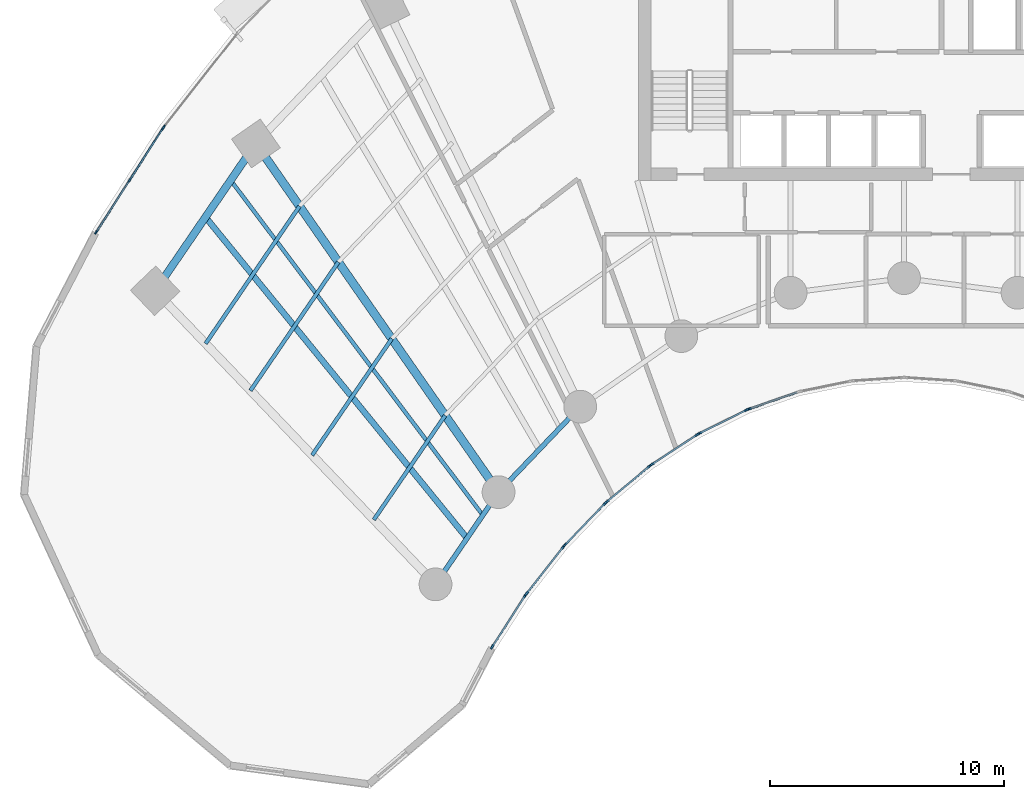
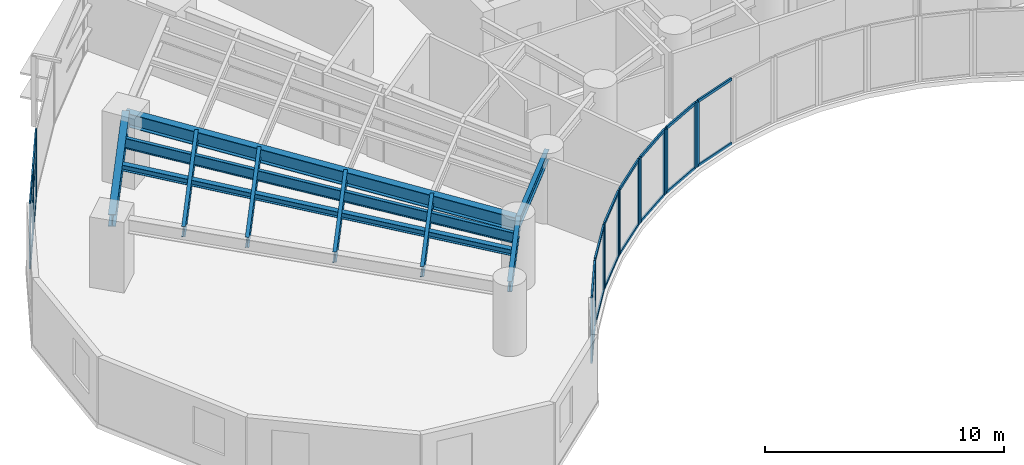
# One storey, part 2 of 17: 37 members, 10 beams, 9 elements without a shape of their own.
"""IFC4 building model written with IfcOpenShell, lengths in metres."""

from ifc_helpers import new_model, si_unit, direction, frame, origin, origin_2d, place, context, subcontext, project, spatial, rectangle, i_section, extrude, source, transform, mapped, material, layer, layer_set, material_profile, profile_set, type_object, type_shapes, element, aggregate, save


model = new_model("IFC4")

# Units and contexts
model_context = context("Model", 3, precision=1e-05, world=origin(), true_north=direction((0.0, 1.0)))
body_context = subcontext(model_context, "Body", "Model", "MODEL_VIEW")
ifc_project = project(units=[si_unit("LENGTHUNIT", "METRE"), si_unit("AREAUNIT", "SQUARE_METRE"), si_unit("VOLUMEUNIT", "CUBIC_METRE"), si_unit("PLANEANGLEUNIT", "RADIAN"), si_unit("MASSUNIT", "GRAM", prefix="KILO")], contexts=[model_context])

# Site, building, storey
site_placement = place(None, origin())
site = spatial("IfcSite", under=ifc_project, at=site_placement, CompositionType="ELEMENT")
building_placement = place(site_placement, origin())
building = spatial("IfcBuilding", under=site, at=building_placement, Name="Breltana Convention Tower", CompositionType="ELEMENT")
storey_placement = place(building_placement, frame((0.0, 0.0, 57.0)))
storey = spatial("IfcBuildingStorey", under=building, at=storey_placement, Name="L12", CompositionType="ELEMENT", Elevation=57.0)

# Beams
ifc_material_1 = material(Name="Steel ASTM A992 Grade 50", Category="steel")
ifc_material_profile_1 = material_profile(ifc_material_1, i_section(OverallWidth=0.323974609375, OverallDepth=0.611083984375, WebThickness=0.0126953125, FlangeThickness=0.01904296875, at=origin_2d()), Name="W24X104")
ifc_profile_set_1 = profile_set([ifc_material_profile_1], Name="Steel ASTM A992 Grade 50")
beam_type_1 = type_object("IfcBeamType", Name="BM-SP-W24X104", PredefinedType="SPANDREL", material=ifc_profile_set_1)
shared_shape_1 = source(origin(), body_context, "Body", "SweptSolid", [
    extrude(i_section(OverallWidth=0.323974609375, OverallDepth=0.611083984375, WebThickness=0.0126953125, FlangeThickness=0.01904296875, at=origin_2d()), origin(), (0.0, 0.0, 1.0), 7.625),
])
type_shapes(beam_type_1, [shared_shape_1])
beam_1_placement = place(storey_placement, frame((16.0068359375, 55.494384765625, 3.054443359375), z_axis=(0.564452031902, 0.825465870694, 0.0), x_axis=(-0.825465870694, 0.564452031902, 0.0)))
element("IfcBeam", 1, at=beam_1_placement, inside=storey, type_object=beam_type_1, Name="L12 Outer Spandrel Beam 01", PredefinedType="SPANDREL", context=body_context, shape_type="MappedRepresentation", body=[
    mapped(shared_shape_1, transform((0.0, 0.0, 0.0), scale=1.0)),
])
ifc_material_profile_2 = material_profile(ifc_material_1, i_section(OverallWidth=0.35498046875, OverallDepth=0.696044921875, WebThickness=0.015380859375, FlangeThickness=0.02490234375, at=origin_2d()), Name="W27X146")
ifc_profile_set_2 = profile_set([ifc_material_profile_2], Name="Steel ASTM A992 Grade 50")
beam_type_2 = type_object("IfcBeamType", Name="BM-RG-W27X146", PredefinedType="USERDEFINED", material=ifc_profile_set_2)
shared_shape_2 = source(origin(), body_context, "Body", "SweptSolid", [
    extrude(i_section(OverallWidth=0.35498046875, OverallDepth=0.696044921875, WebThickness=0.015380859375, FlangeThickness=0.02490234375, at=origin_2d()), origin(), (0.0, 0.0, 1.0), 18.1484375),
])
beam_2_placement = place(storey_placement, frame((30.67724609375, 46.892333984375, 3.011962890625), z_axis=(-0.571207556098, 0.820805657788, 0.0), x_axis=(-0.820805657788, -0.571207556098, 0.0)))
element("IfcBeam", 2, at=beam_2_placement, inside=storey, type_object=beam_type_2, Name="L12 Radial Floor Girder R02", ObjectType="GIRDER", PredefinedType="USERDEFINED", context=body_context, shape_type="MappedRepresentation", body=[
    mapped(shared_shape_2, transform((0.0, 0.0, 0.0), scale=1.0)),
])
ifc_material_profile_3 = material_profile(ifc_material_1, i_section(OverallWidth=0.2099609375, OverallDepth=0.537109375, WebThickness=0.010986328125, FlangeThickness=0.017333984375, at=origin_2d()), Name="W21X68")
ifc_profile_set_3 = profile_set([ifc_material_profile_3], Name="Steel ASTM A992 Grade 50")
beam_type_3 = type_object("IfcBeamType", Name="BM-BM-W21X68", PredefinedType="BEAM", material=ifc_profile_set_3)
shared_shape_3 = source(origin(), body_context, "Body", "SweptSolid", [
    extrude(i_section(OverallWidth=0.2099609375, OverallDepth=0.537109375, WebThickness=0.010986328125, FlangeThickness=0.017333984375, at=origin_2d()), origin(), (0.0, 0.0, 1.0), 4.770263671875),
])
beam_3_placement = place(storey_placement, frame((27.984619140625, 42.95458984375, 3.091552734375), z_axis=(0.564452719055, 0.82546540082, 0.0), x_axis=(-0.82546540082, 0.564452719055, 0.0)))
element("IfcBeam", 3, at=beam_3_placement, inside=storey, type_object=beam_type_3, Name="L12 Inner Ring Beam 01", PredefinedType="BEAM", context=body_context, shape_type="MappedRepresentation", body=[
    mapped(shared_shape_3, transform((0.0, 0.0, 0.0), scale=1.0)),
])
shared_shape_4 = source(origin(), body_context, "Body", "SweptSolid", [
    extrude(i_section(OverallWidth=0.2099609375, OverallDepth=0.537109375, WebThickness=0.010986328125, FlangeThickness=0.017333984375, at=origin_2d()), origin(), (0.0, 0.0, 1.0), 5.05126953125),
])
beam_4_placement = place(storey_placement, frame((30.67724609375, 46.892333984375, 3.091552734375), z_axis=(0.690729753845, 0.7231129975, 0.0), x_axis=(-0.7231129975, 0.690729753845, 0.0)))
element("IfcBeam", 4, at=beam_4_placement, inside=storey, type_object=beam_type_3, Name="L12 Inner Ring Beam 02", PredefinedType="BEAM", context=body_context, shape_type="MappedRepresentation", body=[
    mapped(shared_shape_4, transform((0.0, 0.0, 0.0), scale=1.0)),
])
ifc_material_profile_4 = material_profile(ifc_material_1, i_section(OverallWidth=0.166015625, OverallDepth=0.534912109375, WebThickness=0.01025390625, FlangeThickness=0.0166015625, at=origin_2d()), Name="W21X57")
ifc_profile_set_4 = profile_set([ifc_material_profile_4], Name="Steel ASTM A992 Grade 50")
beam_type_4 = type_object("IfcBeamType", Name="BM-JSG-05", PredefinedType="JOIST", material=ifc_profile_set_4)
shared_shape_5 = source(origin(), body_context, "Body", "SweptSolid", [
    extrude(i_section(OverallWidth=0.166015625, OverallDepth=0.534912109375, WebThickness=0.01025390625, FlangeThickness=0.0166015625, at=origin_2d()), origin(), (0.0, 0.0, 1.0), 5.3984375),
])
type_shapes(beam_type_4, [shared_shape_5])
beam_5_placement = place(storey_placement, frame((25.349365234375, 45.71337890625, 3.092529296875), z_axis=(0.564440705434, 0.825473615599, 0.0), x_axis=(-0.825473615599, 0.564440705434, 0.0)))
element("IfcBeam", 5, at=beam_5_placement, inside=storey, type_object=beam_type_4, Name="L12 Composite Floor Joist 01.1", PredefinedType="JOIST", context=body_context, shape_type="MappedRepresentation", body=[
    mapped(shared_shape_5, transform((0.0, 0.0, 0.0), scale=1.0)),
])
shared_shape_6 = source(origin(), body_context, "Body", "SweptSolid", [
    extrude(i_section(OverallWidth=0.166015625, OverallDepth=0.534912109375, WebThickness=0.01025390625, FlangeThickness=0.0166015625, at=origin_2d()), origin(), (0.0, 0.0, 1.0), 6.0263671875),
])
beam_6_placement = place(storey_placement, frame((22.71435546875, 48.47216796875, 3.092529296875), z_axis=(0.564450071397, 0.825467211281, 0.0), x_axis=(-0.825467211281, 0.564450071397, 0.0)))
element("IfcBeam", 6, at=beam_6_placement, inside=storey, type_object=beam_type_4, Name="L12 Composite Floor Joist 01.2", PredefinedType="JOIST", context=body_context, shape_type="MappedRepresentation", body=[
    mapped(shared_shape_6, transform((0.0, 0.0, 0.0), scale=1.0)),
])
shared_shape_7 = source(origin(), body_context, "Body", "SweptSolid", [
    extrude(i_section(OverallWidth=0.166015625, OverallDepth=0.534912109375, WebThickness=0.01025390625, FlangeThickness=0.0166015625, at=origin_2d()), origin(), (0.0, 0.0, 1.0), 6.654541015625),
])
beam_7_placement = place(storey_placement, frame((20.0791015625, 51.23095703125, 3.092529296875), z_axis=(0.564482668195, 0.82544492082, 0.0), x_axis=(-0.82544492082, 0.564482668195, 0.0)))
element("IfcBeam", 7, at=beam_7_placement, inside=storey, type_object=beam_type_4, Name="L12 Composite Floor Joist 01.3", PredefinedType="JOIST", context=body_context, shape_type="MappedRepresentation", body=[
    mapped(shared_shape_7, transform((0.0, 0.0, 0.0), scale=1.0)),
])
shared_shape_8 = source(origin(), body_context, "Body", "SweptSolid", [
    extrude(i_section(OverallWidth=0.166015625, OverallDepth=0.534912109375, WebThickness=0.01025390625, FlangeThickness=0.0166015625, at=origin_2d()), origin(), (0.0, 0.0, 1.0), 7.111328125),
])
beam_8_placement = place(storey_placement, frame((18.162841796875, 53.2373046875, 3.092529296875), z_axis=(0.564446356178, 0.825469751715, 0.0), x_axis=(-0.825469751715, 0.564446356178, 0.0)))
element("IfcBeam", 8, at=beam_8_placement, inside=storey, type_object=beam_type_4, Name="L12 Composite Floor Joist 01.4", PredefinedType="JOIST", context=body_context, shape_type="MappedRepresentation", body=[
    mapped(shared_shape_8, transform((0.0, 0.0, 0.0), scale=1.0)),
])
ifc_material_profile_5 = material_profile(ifc_material_1, i_section(OverallWidth=0.25390625, OverallDepth=0.305908203125, WebThickness=0.0087890625, FlangeThickness=0.0146484375, at=origin_2d()), Name="W12X53")
ifc_profile_set_5 = profile_set([ifc_material_profile_5], Name="Steel ASTM A992 Grade 50")
beam_type_5 = type_object("IfcBeamType", Name="BM-JSG-10", PredefinedType="JOIST", material=ifc_profile_set_5)
shared_shape_9 = source(origin(), body_context, "Body", "SweptSolid", [
    extrude(i_section(OverallWidth=0.25390625, OverallDepth=0.305908203125, WebThickness=0.0087890625, FlangeThickness=0.0146484375, at=origin_2d()), origin(), (0.0, 0.0, 1.0), 17.691650390625),
])
type_shapes(beam_type_5, [shared_shape_9])
beam_9_placement = place(storey_placement, frame((29.330810546875, 44.923583984375, 3.20703125), z_axis=(-0.631476958478, 0.775394642044, 0.0), x_axis=(-0.775394642044, -0.631476958478, 0.0)))
element("IfcBeam", 9, at=beam_9_placement, inside=storey, type_object=beam_type_5, Name="L12 Mid-Bay Radial Trimmer 01", PredefinedType="JOIST", context=body_context, shape_type="MappedRepresentation", body=[
    mapped(shared_shape_9, transform((0.0, 0.0, 0.0), scale=1.0)),
])
shared_shape_10 = source(origin(), body_context, "Body", "SweptSolid", [
    extrude(i_section(OverallWidth=0.166015625, OverallDepth=0.534912109375, WebThickness=0.01025390625, FlangeThickness=0.0166015625, at=origin_2d()), origin(), (0.0, 0.0, 1.0), 17.9072265625),
])
beam_10_placement = place(storey_placement, frame((30.00390625, 45.907958984375, 3.092529296875), z_axis=(-0.601382105028, 0.798961553363, 0.0), x_axis=(-0.798961553363, -0.601382105028, 0.0)))
element("IfcBeam", 10, at=beam_10_placement, inside=storey, type_object=beam_type_4, Name="L12 Quarter-Bay Radial Trimmer 01", PredefinedType="JOIST", context=body_context, shape_type="MappedRepresentation", body=[
    mapped(shared_shape_10, transform((0.0, 0.0, 0.0), scale=1.0)),
])

# Curtain wall, members
ifc_material_2 = material(Name="Aluminium Anodised Bronze Frame", Category="aluminium")
ifc_layer_1 = layer(ifc_material_2, 0.18994140625, Name="Aluminium Anodised Bronze Frame")
ifc_layer_set_1 = layer_set([ifc_layer_1], Name="Aluminium Anodised Bronze Frame")
curtain_wall_type_1 = type_object("IfcCurtainWallType", Name="CW-SYS-1", PredefinedType="NOTDEFINED", material=ifc_layer_set_1)
curtain_wall_1_placement = place(storey_placement, origin())
curtain_wall_1 = element("IfcCurtainWall", 11, at=curtain_wall_1_placement, inside=storey, type_object=curtain_wall_type_1, Name="L12 inner south-court glazing 16", PredefinedType="NOTDEFINED")
ifc_material_3 = material(Name="Aluminium Anodised Bronze", Category="aluminium")
ifc_material_profile_6 = material_profile(ifc_material_3, rectangle(XDim=0.080078125, YDim=0.139892578125, at=origin_2d()), Name="CWT-80X140")
ifc_profile_set_6 = profile_set([ifc_material_profile_6], Name="Aluminium Anodised Bronze")
member_type_1 = type_object("IfcMemberType", Name="CWT-140", PredefinedType="USERDEFINED", material=ifc_profile_set_6)
shared_shape_11 = source(origin(), body_context, "Body", "SweptSolid", [
    extrude(rectangle(XDim=0.080078125, YDim=0.139892578125, at=origin_2d()), origin(), (0.0, 0.0, 1.0), 2.38720703125),
])
type_shapes(member_type_1, [shared_shape_11])
member_1_placement = place(storey_placement, frame((35.2021484375, 46.385009765625, 0.0400390625), z_axis=(-0.694623715393, -0.719373264734, 0.0), x_axis=(0.719373264734, -0.694623715393, 0.0)))
member_1 = element("IfcMember", 12, at=member_1_placement, type_object=member_type_1, Name="CW-01 transom 1.1", ObjectType="TRANSOM", PredefinedType="USERDEFINED", context=body_context, shape_type="MappedRepresentation", body=[
    mapped(shared_shape_11, transform((0.0, 0.0, 0.0), scale=1.0)),
])
member_2_placement = place(storey_placement, frame((35.2021484375, 46.385009765625, 3.320068359375), z_axis=(-0.694623715393, -0.719373264734, 0.0), x_axis=(0.719373264734, -0.694623715393, 0.0)))
member_2 = element("IfcMember", 13, at=member_2_placement, type_object=member_type_1, Name="CW-01 transom 1.2", ObjectType="TRANSOM", PredefinedType="USERDEFINED", context=body_context, shape_type="MappedRepresentation", body=[
    mapped(shared_shape_11, transform((0.0, 0.0, 0.0), scale=1.0)),
])

curtain_wall_2_placement = place(storey_placement, origin())
curtain_wall_2 = element("IfcCurtainWall", 14, at=curtain_wall_2_placement, inside=storey, type_object=curtain_wall_type_1, Name="L12 inner south-court glazing 15", PredefinedType="NOTDEFINED")
shared_shape_12 = source(origin(), body_context, "Body", "SweptSolid", [
    extrude(rectangle(XDim=0.080078125, YDim=0.139892578125, at=origin_2d()), origin(), (0.0, 0.0, 1.0), 2.312255859375),
])
member_3_placement = place(storey_placement, frame((37.10888671875, 47.988037109375, 0.0400390625), z_axis=(-0.767900974507, -0.640568570374, 0.0), x_axis=(0.640568570374, -0.767900974507, 0.0)))
member_3 = element("IfcMember", 15, at=member_3_placement, type_object=member_type_1, Name="CW-01 transom 1.1", ObjectType="TRANSOM", PredefinedType="USERDEFINED", context=body_context, shape_type="MappedRepresentation", body=[
    mapped(shared_shape_12, transform((0.0, 0.0, 0.0), scale=1.0)),
])
member_4_placement = place(storey_placement, frame((37.10888671875, 47.988037109375, 3.320068359375), z_axis=(-0.767900974507, -0.640568570374, 0.0), x_axis=(0.640568570374, -0.767900974507, 0.0)))
member_4 = element("IfcMember", 16, at=member_4_placement, type_object=member_type_1, Name="CW-01 transom 1.2", ObjectType="TRANSOM", PredefinedType="USERDEFINED", context=body_context, shape_type="MappedRepresentation", body=[
    mapped(shared_shape_12, transform((0.0, 0.0, 0.0), scale=1.0)),
])

curtain_wall_3_placement = place(storey_placement, origin())
curtain_wall_3 = element("IfcCurtainWall", 17, at=curtain_wall_3_placement, inside=storey, type_object=curtain_wall_type_1, Name="L12 inner south-court glazing 14", PredefinedType="NOTDEFINED")
shared_shape_13 = source(origin(), body_context, "Body", "SweptSolid", [
    extrude(rectangle(XDim=0.080078125, YDim=0.139892578125, at=origin_2d()), origin(), (0.0, 0.0, 1.0), 2.2421875),
])
member_5_placement = place(storey_placement, frame((39.128173828125, 49.325927734375, 0.0400390625), z_axis=(-0.835982353773, -0.548756324957, 0.0), x_axis=(0.548756324957, -0.835982353773, 0.0)))
member_5 = element("IfcMember", 18, at=member_5_placement, type_object=member_type_1, Name="CW-01 transom 1.1", ObjectType="TRANSOM", PredefinedType="USERDEFINED", context=body_context, shape_type="MappedRepresentation", body=[
    mapped(shared_shape_13, transform((0.0, 0.0, 0.0), scale=1.0)),
])
member_6_placement = place(storey_placement, frame((39.128173828125, 49.325927734375, 3.320068359375), z_axis=(-0.835982353773, -0.548756324957, 0.0), x_axis=(0.548756324957, -0.835982353773, 0.0)))
member_6 = element("IfcMember", 19, at=member_6_placement, type_object=member_type_1, Name="CW-01 transom 1.2", ObjectType="TRANSOM", PredefinedType="USERDEFINED", context=body_context, shape_type="MappedRepresentation", body=[
    mapped(shared_shape_13, transform((0.0, 0.0, 0.0), scale=1.0)),
])

curtain_wall_4_placement = place(storey_placement, origin())
curtain_wall_4 = element("IfcCurtainWall", 20, at=curtain_wall_4_placement, inside=storey, type_object=curtain_wall_type_1, Name="L12 inner south-court glazing 13", PredefinedType="NOTDEFINED")
shared_shape_14 = source(origin(), body_context, "Body", "SweptSolid", [
    extrude(rectangle(XDim=0.080078125, YDim=0.139892578125, at=origin_2d()), origin(), (0.0, 0.0, 1.0), 2.180908203125),
])
member_7_placement = place(storey_placement, frame((41.239501953125, 50.384765625, 0.0400390625), z_axis=(-0.895922266369, -0.444210865045, 0.0), x_axis=(0.444210865045, -0.895922266369, 0.0)))
member_7 = element("IfcMember", 21, at=member_7_placement, type_object=member_type_1, Name="CW-01 transom 1.1", ObjectType="TRANSOM", PredefinedType="USERDEFINED", context=body_context, shape_type="MappedRepresentation", body=[
    mapped(shared_shape_14, transform((0.0, 0.0, 0.0), scale=1.0)),
])
member_8_placement = place(storey_placement, frame((41.239501953125, 50.384765625, 3.320068359375), z_axis=(-0.895922266369, -0.444210865045, 0.0), x_axis=(0.444210865045, -0.895922266369, 0.0)))
member_8 = element("IfcMember", 22, at=member_8_placement, type_object=member_type_1, Name="CW-01 transom 1.2", ObjectType="TRANSOM", PredefinedType="USERDEFINED", context=body_context, shape_type="MappedRepresentation", body=[
    mapped(shared_shape_14, transform((0.0, 0.0, 0.0), scale=1.0)),
])

curtain_wall_5_placement = place(storey_placement, origin())
curtain_wall_5 = element("IfcCurtainWall", 23, at=curtain_wall_5_placement, inside=storey, type_object=curtain_wall_type_1, Name="L12 inner south-court glazing 17", PredefinedType="NOTDEFINED")
shared_shape_15 = source(origin(), body_context, "Body", "SweptSolid", [
    extrude(rectangle(XDim=0.080078125, YDim=0.139892578125, at=origin_2d()), origin(), (0.0, 0.0, 1.0), 2.4638671875),
])
member_9_placement = place(storey_placement, frame((33.427001953125, 44.533447265625, 0.0400390625), z_axis=(-0.618184689608, -0.786032880695, 0.0), x_axis=(0.786032880695, -0.618184689608, 0.0)))
member_9 = element("IfcMember", 24, at=member_9_placement, type_object=member_type_1, Name="CW-01 transom 1.1", ObjectType="TRANSOM", PredefinedType="USERDEFINED", context=body_context, shape_type="MappedRepresentation", body=[
    mapped(shared_shape_15, transform((0.0, 0.0, 0.0), scale=1.0)),
])
member_10_placement = place(storey_placement, frame((33.427001953125, 44.533447265625, 3.320068359375), z_axis=(-0.618184689608, -0.786032880695, 0.0), x_axis=(0.786032880695, -0.618184689608, 0.0)))
member_10 = element("IfcMember", 25, at=member_10_placement, type_object=member_type_1, Name="CW-01 transom 1.2", ObjectType="TRANSOM", PredefinedType="USERDEFINED", context=body_context, shape_type="MappedRepresentation", body=[
    mapped(shared_shape_15, transform((0.0, 0.0, 0.0), scale=1.0)),
])

curtain_wall_6_placement = place(storey_placement, origin())
curtain_wall_6 = element("IfcCurtainWall", 26, at=curtain_wall_6_placement, inside=storey, type_object=curtain_wall_type_1, Name="L12 inner south-court glazing 18", PredefinedType="NOTDEFINED")
shared_shape_16 = source(origin(), body_context, "Body", "SweptSolid", [
    extrude(rectangle(XDim=0.080078125, YDim=0.139892578125, at=origin_2d()), origin(), (0.0, 0.0, 1.0), 2.53955078125),
])
member_11_placement = place(storey_placement, frame((31.801025390625, 42.452392578125, 0.0400390625), z_axis=(-0.540174413174, -0.841553090038, 0.0), x_axis=(0.841553090038, -0.540174413174, 0.0)))
member_11 = element("IfcMember", 27, at=member_11_placement, type_object=member_type_1, Name="CW-01 transom 1.1", ObjectType="TRANSOM", PredefinedType="USERDEFINED", context=body_context, shape_type="MappedRepresentation", body=[
    mapped(shared_shape_16, transform((0.0, 0.0, 0.0), scale=1.0)),
])
member_12_placement = place(storey_placement, frame((31.801025390625, 42.452392578125, 3.320068359375), z_axis=(-0.540174413174, -0.841553090038, 0.0), x_axis=(0.841553090038, -0.540174413174, 0.0)))
member_12 = element("IfcMember", 28, at=member_12_placement, type_object=member_type_1, Name="CW-01 transom 1.2", ObjectType="TRANSOM", PredefinedType="USERDEFINED", context=body_context, shape_type="MappedRepresentation", body=[
    mapped(shared_shape_16, transform((0.0, 0.0, 0.0), scale=1.0)),
])

# Curtain wall, member
curtain_wall_7_placement = place(storey_placement, origin())
curtain_wall_7 = element("IfcCurtainWall", 29, at=curtain_wall_7_placement, inside=storey, type_object=curtain_wall_type_1, Name="L12 inner south-court glazing 12", PredefinedType="NOTDEFINED")
ifc_material_profile_7 = material_profile(ifc_material_3, rectangle(XDim=0.080078125, YDim=0.199951171875, at=origin_2d()), Name="CWM-80X200")
ifc_profile_set_7 = profile_set([ifc_material_profile_7], Name="Aluminium Anodised Bronze")
member_type_2 = type_object("IfcMemberType", Name="CWM-200", PredefinedType="MULLION", material=ifc_profile_set_7)
shared_shape_17 = source(origin(), body_context, "Body", "SweptSolid", [
    extrude(rectangle(XDim=0.080078125, YDim=0.199951171875, at=origin_2d()), origin(), (0.0, 0.0, 1.0), 3.360107421875),
])
member_13_placement = place(storey_placement, frame((41.3701171875, 50.442138671875, 0.0), z_axis=(0.0, 0.0, 1.0), x_axis=(0.327413341714, -0.944881211406, 0.0)))
member_13 = element("IfcMember", 30, at=member_13_placement, type_object=member_type_2, Name="CW-01 mullion 2", PredefinedType="MULLION", context=body_context, shape_type="MappedRepresentation", body=[
    mapped(shared_shape_17, transform((0.0, 0.0, 0.0), scale=1.0)),
])

# Member
member_14_placement = place(storey_placement, frame((41.275390625, 50.40234375, 0.0), z_axis=(0.0, 0.0, 1.0), x_axis=(0.444117987602, -0.895968310315, 0.0)))
member_14 = element("IfcMember", 31, at=member_14_placement, type_object=member_type_2, Name="CW-01 mullion 1", PredefinedType="MULLION", context=body_context, shape_type="MappedRepresentation", body=[
    mapped(shared_shape_17, transform((0.0, 0.0, 0.0), scale=1.0)),
])

member_15_placement = place(storey_placement, frame((39.249755859375, 49.3984375, 0.0), z_axis=(0.0, 0.0, 1.0), x_axis=(0.444117987602, -0.895968310315, 0.0)))
member_15 = element("IfcMember", 32, at=member_15_placement, type_object=member_type_2, Name="CW-01 mullion 2", PredefinedType="MULLION", context=body_context, shape_type="MappedRepresentation", body=[
    mapped(shared_shape_17, transform((0.0, 0.0, 0.0), scale=1.0)),
])

aggregate(curtain_wall_4, [member_14, member_15, member_7, member_8])

member_16_placement = place(storey_placement, frame((39.16162109375, 49.347900390625, 0.0), z_axis=(0.0, 0.0, 1.0), x_axis=(0.548778278441, -0.835967942634, 0.0)))
member_16 = element("IfcMember", 33, at=member_16_placement, type_object=member_type_2, Name="CW-01 mullion 1", PredefinedType="MULLION", context=body_context, shape_type="MappedRepresentation", body=[
    mapped(shared_shape_17, transform((0.0, 0.0, 0.0), scale=1.0)),
])

member_17_placement = place(storey_placement, frame((37.220458984375, 48.073486328125, 0.0), z_axis=(0.0, 0.0, 1.0), x_axis=(0.548778278441, -0.835967942634, 0.0)))
member_17 = element("IfcMember", 34, at=member_17_placement, type_object=member_type_2, Name="CW-01 mullion 2", PredefinedType="MULLION", context=body_context, shape_type="MappedRepresentation", body=[
    mapped(shared_shape_17, transform((0.0, 0.0, 0.0), scale=1.0)),
])

aggregate(curtain_wall_3, [member_16, member_17, member_5, member_6])

member_18_placement = place(storey_placement, frame((37.1396484375, 48.013671875, 0.0), z_axis=(0.0, 0.0, 1.0), x_axis=(0.640522524458, -0.767939382804, 0.0)))
member_18 = element("IfcMember", 35, at=member_18_placement, type_object=member_type_2, Name="CW-01 mullion 1", PredefinedType="MULLION", context=body_context, shape_type="MappedRepresentation", body=[
    mapped(shared_shape_17, transform((0.0, 0.0, 0.0), scale=1.0)),
])

member_19_placement = place(storey_placement, frame((35.302734375, 46.481201171875, 0.0), z_axis=(0.0, 0.0, 1.0), x_axis=(0.640522524458, -0.767939382804, 0.0)))
member_19 = element("IfcMember", 36, at=member_19_placement, type_object=member_type_2, Name="CW-01 mullion 2", PredefinedType="MULLION", context=body_context, shape_type="MappedRepresentation", body=[
    mapped(shared_shape_17, transform((0.0, 0.0, 0.0), scale=1.0)),
])

aggregate(curtain_wall_2, [member_18, member_19, member_3, member_4])

member_20_placement = place(storey_placement, frame((35.22998046875, 46.413818359375, 0.0), z_axis=(0.0, 0.0, 1.0), x_axis=(0.719384548773, -0.694612029111, 0.0)))
member_20 = element("IfcMember", 37, at=member_20_placement, type_object=member_type_2, Name="CW-01 mullion 1", PredefinedType="MULLION", context=body_context, shape_type="MappedRepresentation", body=[
    mapped(shared_shape_17, transform((0.0, 0.0, 0.0), scale=1.0)),
])

member_21_placement = place(storey_placement, frame((33.51611328125, 44.638916015625, 0.0), z_axis=(0.0, 0.0, 1.0), x_axis=(0.719384548773, -0.694612029111, 0.0)))
member_21 = element("IfcMember", 38, at=member_21_placement, type_object=member_type_2, Name="CW-01 mullion 2", PredefinedType="MULLION", context=body_context, shape_type="MappedRepresentation", body=[
    mapped(shared_shape_17, transform((0.0, 0.0, 0.0), scale=1.0)),
])

aggregate(curtain_wall_1, [member_20, member_21, member_1, member_2])

member_22_placement = place(storey_placement, frame((33.45166015625, 44.56494140625, 0.0), z_axis=(0.0, 0.0, 1.0), x_axis=(0.786057762734, -0.61815305034, 0.0)))
member_22 = element("IfcMember", 39, at=member_22_placement, type_object=member_type_2, Name="CW-01 mullion 1", PredefinedType="MULLION", context=body_context, shape_type="MappedRepresentation", body=[
    mapped(shared_shape_17, transform((0.0, 0.0, 0.0), scale=1.0)),
])

member_23_placement = place(storey_placement, frame((31.87890625, 42.565185546875, 0.0), z_axis=(0.0, 0.0, 1.0), x_axis=(0.786057762734, -0.61815305034, 0.0)))
member_23 = element("IfcMember", 40, at=member_23_placement, type_object=member_type_2, Name="CW-01 mullion 2", PredefinedType="MULLION", context=body_context, shape_type="MappedRepresentation", body=[
    mapped(shared_shape_17, transform((0.0, 0.0, 0.0), scale=1.0)),
])

aggregate(curtain_wall_5, [member_22, member_23, member_9, member_10])

member_24_placement = place(storey_placement, frame((31.82275390625, 42.48583984375, 0.0), z_axis=(0.0, 0.0, 1.0), x_axis=(0.841556194767, -0.540169576197, 0.0)))
member_24 = element("IfcMember", 41, at=member_24_placement, type_object=member_type_2, Name="CW-01 mullion 1", PredefinedType="MULLION", context=body_context, shape_type="MappedRepresentation", body=[
    mapped(shared_shape_17, transform((0.0, 0.0, 0.0), scale=1.0)),
])

member_25_placement = place(storey_placement, frame((30.40771484375, 40.281494140625, 0.0), z_axis=(0.0, 0.0, 1.0), x_axis=(0.841556194767, -0.540169576197, 0.0)))
member_25 = element("IfcMember", 42, at=member_25_placement, type_object=member_type_2, Name="CW-01 mullion 2", PredefinedType="MULLION", context=body_context, shape_type="MappedRepresentation", body=[
    mapped(shared_shape_17, transform((0.0, 0.0, 0.0), scale=1.0)),
])

aggregate(curtain_wall_6, [member_24, member_25, member_11, member_12])

shared_shape_18 = source(origin(), body_context, "Body", "SweptSolid", [
    extrude(rectangle(XDim=0.080078125, YDim=0.139892578125, at=origin_2d()), origin(), (0.0, 0.0, 1.0), 2.131103515625),
])
member_26_placement = place(storey_placement, frame((43.421630859375, 51.153076171875, 0.0400390625), z_axis=(-0.944847069856, -0.327511854112, 0.0), x_axis=(0.327511854112, -0.944847069856, 0.0)))
member_26 = element("IfcMember", 43, at=member_26_placement, type_object=member_type_1, Name="CW-01 transom 1.1", ObjectType="TRANSOM", PredefinedType="USERDEFINED", context=body_context, shape_type="MappedRepresentation", body=[
    mapped(shared_shape_18, transform((0.0, 0.0, 0.0), scale=1.0)),
])

member_27_placement = place(storey_placement, frame((43.421630859375, 51.153076171875, 3.320068359375), z_axis=(-0.944847069856, -0.327511854112, 0.0), x_axis=(0.327511854112, -0.944847069856, 0.0)))
member_27 = element("IfcMember", 44, at=member_27_placement, type_object=member_type_1, Name="CW-01 transom 1.2", ObjectType="TRANSOM", PredefinedType="USERDEFINED", context=body_context, shape_type="MappedRepresentation", body=[
    mapped(shared_shape_18, transform((0.0, 0.0, 0.0), scale=1.0)),
])

aggregate(curtain_wall_7, [member_13, member_26, member_27])

# Curtain wall, members
ifc_layer_2 = layer(ifc_material_2, 0.199951171875, Name="Aluminium Anodised Bronze Frame")
ifc_layer_set_2 = layer_set([ifc_layer_2], Name="Aluminium Anodised Bronze Frame")
curtain_wall_type_2 = type_object("IfcCurtainWallType", Name="CW-SYS-2", PredefinedType="NOTDEFINED", material=ifc_layer_set_2)
curtain_wall_8_placement = place(storey_placement, origin())
curtain_wall_8 = element("IfcCurtainWall", 45, at=curtain_wall_8_placement, inside=storey, type_object=curtain_wall_type_2, Name="L12 outer double-skin inner glazing 1", PredefinedType="NOTDEFINED")
ifc_material_profile_8 = material_profile(ifc_material_3, rectangle(XDim=0.070068359375, YDim=0.175048828125, at=origin_2d()), Name="CWM-70X175")
ifc_profile_set_8 = profile_set([ifc_material_profile_8], Name="Aluminium Anodised Bronze")
member_type_3 = type_object("IfcMemberType", Name="CWM-175", PredefinedType="MULLION", material=ifc_profile_set_8)
shared_shape_19 = source(origin(), body_context, "Body", "SweptSolid", [
    extrude(rectangle(XDim=0.070068359375, YDim=0.175048828125, at=origin_2d()), origin(), (0.0, 0.0, 1.0), 3.360107421875),
])
type_shapes(member_type_3, [shared_shape_19])
member_28_placement = place(storey_placement, frame((13.487060546875, 57.993896484375, 0.0), z_axis=(0.0, 0.0, 1.0), x_axis=(-0.841549039154, 0.540180724109, 0.0)))
member_28 = element("IfcMember", 46, at=member_28_placement, type_object=member_type_3, Name="CW-02 mullion 1", PredefinedType="MULLION", context=body_context, shape_type="MappedRepresentation", body=[
    mapped(shared_shape_19, transform((0.0, 0.0, 0.0), scale=1.0)),
])
member_29_placement = place(storey_placement, frame((14.911865234375, 60.2138671875, 0.0), z_axis=(0.0, 0.0, 1.0), x_axis=(-0.841549039154, 0.540180724109, 0.0)))
member_29 = element("IfcMember", 47, at=member_29_placement, type_object=member_type_3, Name="CW-02 mullion 2", PredefinedType="MULLION", context=body_context, shape_type="MappedRepresentation", body=[
    mapped(shared_shape_19, transform((0.0, 0.0, 0.0), scale=1.0)),
])
member_30_placement = place(storey_placement, frame((16.3369140625, 62.43359375, 0.0), z_axis=(0.0, 0.0, 1.0), x_axis=(-0.841549039154, 0.540180724109, 0.0)))
member_30 = element("IfcMember", 48, at=member_30_placement, type_object=member_type_3, Name="CW-02 mullion 3", PredefinedType="MULLION", context=body_context, shape_type="MappedRepresentation", body=[
    mapped(shared_shape_19, transform((0.0, 0.0, 0.0), scale=1.0)),
])

# Curtain wall, member
curtain_wall_9_placement = place(storey_placement, origin())
curtain_wall_9 = element("IfcCurtainWall", 49, at=curtain_wall_9_placement, inside=storey, type_object=curtain_wall_type_2, Name="L12 outer double-skin inner glazing 2", PredefinedType="NOTDEFINED")
member_31_placement = place(storey_placement, frame((16.37744140625, 62.49072265625, 0.0), z_axis=(0.0, 0.0, 1.0), x_axis=(-0.786057080698, 0.618153917633, 0.0)))
member_31 = element("IfcMember", 50, at=member_31_placement, type_object=member_type_3, Name="CW-02 mullion 1", PredefinedType="MULLION", context=body_context, shape_type="MappedRepresentation", body=[
    mapped(shared_shape_19, transform((0.0, 0.0, 0.0), scale=1.0)),
])
aggregate(curtain_wall_9, [member_31])

# Member
ifc_material_profile_9 = material_profile(ifc_material_3, rectangle(XDim=0.070068359375, YDim=0.1201171875, at=origin_2d()), Name="CWT-70X120")
ifc_profile_set_9 = profile_set([ifc_material_profile_9], Name="Aluminium Anodised Bronze")
member_type_4 = type_object("IfcMemberType", Name="CWT-120", PredefinedType="USERDEFINED", material=ifc_profile_set_9)
shared_shape_20 = source(origin(), body_context, "Body", "SweptSolid", [
    extrude(rectangle(XDim=0.070068359375, YDim=0.1201171875, at=origin_2d()), origin(), (0.0, 0.0, 1.0), 2.56787109375),
])
type_shapes(member_type_4, [shared_shape_20])
member_32_placement = place(storey_placement, frame((13.505859375, 58.0234375, 0.034912109375), z_axis=(0.54022409371, 0.841521199124, 0.0), x_axis=(-0.841521199124, 0.54022409371, 0.0)))
member_32 = element("IfcMember", 51, at=member_32_placement, type_object=member_type_4, Name="CW-02 transom 1.1", ObjectType="TRANSOM", PredefinedType="USERDEFINED", context=body_context, shape_type="MappedRepresentation", body=[
    mapped(shared_shape_20, transform((0.0, 0.0, 0.0), scale=1.0)),
])

member_33_placement = place(storey_placement, frame((13.505859375, 58.0234375, 2.18408203125), z_axis=(0.54022409371, 0.841521199124, 0.0), x_axis=(-0.841521199124, 0.54022409371, 0.0)))
member_33 = element("IfcMember", 52, at=member_33_placement, type_object=member_type_4, Name="CW-02 transom 1.2", ObjectType="TRANSOM", PredefinedType="USERDEFINED", context=body_context, shape_type="MappedRepresentation", body=[
    mapped(shared_shape_20, transform((0.0, 0.0, 0.0), scale=1.0)),
])

member_34_placement = place(storey_placement, frame((13.505859375, 58.0234375, 3.324951171875), z_axis=(0.54022409371, 0.841521199124, 0.0), x_axis=(-0.841521199124, 0.54022409371, 0.0)))
member_34 = element("IfcMember", 53, at=member_34_placement, type_object=member_type_4, Name="CW-02 transom 1.3", ObjectType="TRANSOM", PredefinedType="USERDEFINED", context=body_context, shape_type="MappedRepresentation", body=[
    mapped(shared_shape_20, transform((0.0, 0.0, 0.0), scale=1.0)),
])

member_35_placement = place(storey_placement, frame((14.930908203125, 60.2431640625, 0.034912109375), z_axis=(0.540113540427, 0.841592159806, 0.0), x_axis=(-0.841592159806, 0.540113540427, 0.0)))
member_35 = element("IfcMember", 54, at=member_35_placement, type_object=member_type_4, Name="CW-02 transom 2.1", ObjectType="TRANSOM", PredefinedType="USERDEFINED", context=body_context, shape_type="MappedRepresentation", body=[
    mapped(shared_shape_20, transform((0.0, 0.0, 0.0), scale=1.0)),
])

member_36_placement = place(storey_placement, frame((14.930908203125, 60.2431640625, 2.18408203125), z_axis=(0.540113540427, 0.841592159806, 0.0), x_axis=(-0.841592159806, 0.540113540427, 0.0)))
member_36 = element("IfcMember", 55, at=member_36_placement, type_object=member_type_4, Name="CW-02 transom 2.2", ObjectType="TRANSOM", PredefinedType="USERDEFINED", context=body_context, shape_type="MappedRepresentation", body=[
    mapped(shared_shape_20, transform((0.0, 0.0, 0.0), scale=1.0)),
])

member_37_placement = place(storey_placement, frame((14.930908203125, 60.2431640625, 3.324951171875), z_axis=(0.540113540427, 0.841592159806, 0.0), x_axis=(-0.841592159806, 0.540113540427, 0.0)))
member_37 = element("IfcMember", 56, at=member_37_placement, type_object=member_type_4, Name="CW-02 transom 2.3", ObjectType="TRANSOM", PredefinedType="USERDEFINED", context=body_context, shape_type="MappedRepresentation", body=[
    mapped(shared_shape_20, transform((0.0, 0.0, 0.0), scale=1.0)),
])

aggregate(curtain_wall_8, [member_28, member_29, member_30, member_32, member_33, member_34, member_35, member_36, member_37])

save(model, "model.ifc")
